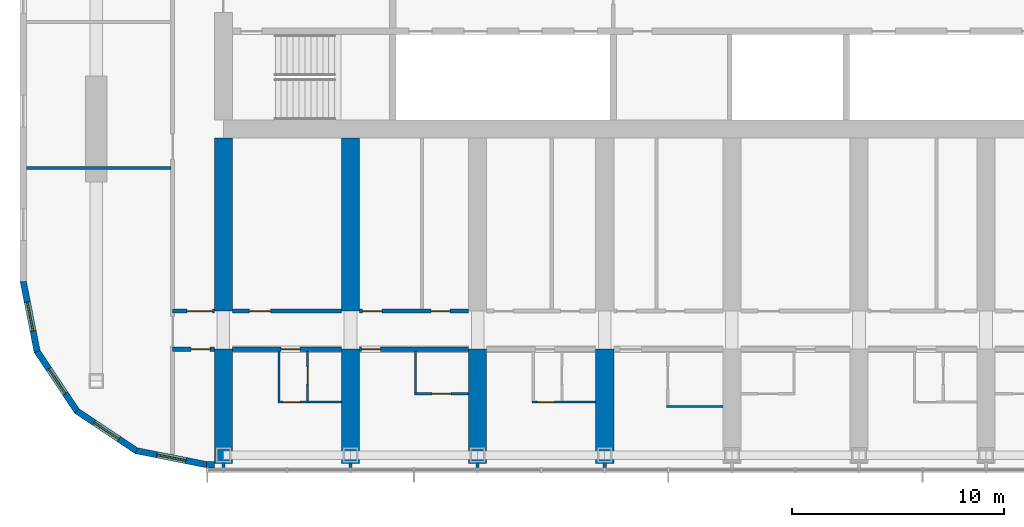
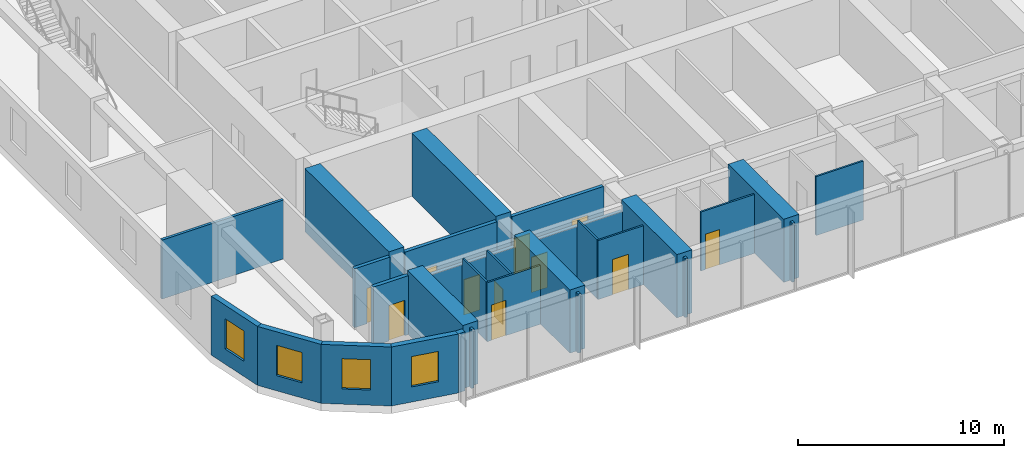
# One storey, part 14 of 29: 29 walls, 11 doors, 4 windows, 15 openings.
"""IFC4 building model written with IfcOpenShell, lengths in metres."""

import ifcopenshell
import ifcopenshell.guid

model = None  # the IFC model being written
_history = None  # IfcOwnerHistory: only IFC2X3 demands one
_inside = {}  # id of a spatial element -> (the spatial element, [elements in it])
_under = {}  # id of a project, library or spatial element -> (it, [spatial elements below it])
_declared = {}  # id of a project -> (the project, [libraries it declares])
_typed = {}  # id of a type object -> (the type object, [elements of that type])
_made_of = {}  # id of a material, layer set ... -> (it, [elements and type objects made of it])


def new_model(schema):
    """Start an empty IFC model of exactly this schema.

    Asked for "IFC4X3", IfcOpenShell would pick the latest addendum, in which some entities
    have other attributes; the version numbers below select the first issue.
    IFC2X3 requires an IfcOwnerHistory on every rooted entity: one is made here for all.
    """
    global model, _history
    if schema == "IFC4X3":
        model = ifcopenshell.file(schema_version=(4, 3, 0, 0))
    else:
        model = ifcopenshell.file(schema=schema)
    _inside.clear()
    _under.clear()
    _declared.clear()
    _typed.clear()
    _made_of.clear()
    _history = None
    if model.schema == "IFC2X3":
        org = make("IfcOrganization", Name="unknown")
        user = make(
            "IfcPersonAndOrganization",
            ThePerson=make("IfcPerson", FamilyName="unknown"),
            TheOrganization=org,
        )
        app = make(
            "IfcApplication",
            ApplicationDeveloper=org,
            Version="unknown",
            ApplicationFullName="unknown",
            ApplicationIdentifier="unknown",
        )
        _history = make(
            "IfcOwnerHistory",
            OwningUser=user,
            OwningApplication=app,
            ChangeAction="ADDED",
            CreationDate=0,
        )
    return model


def make(cls, **values):
    """One entity of the class cls with the attributes given. An attribute that is None is left unset."""
    return model.create_entity(
        cls, **{name: value for name, value in values.items() if value is not None}
    )


def rooted(cls, **values):
    """An entity with a GlobalId (a new one), such as an element, a storey or a relation."""
    return make(cls, GlobalId=ifcopenshell.guid.new(), OwnerHistory=_history, **values)


def si_unit(unit_type, name, prefix=None):
    """IfcSIUnit, for example si_unit("LENGTHUNIT", "METRE", prefix="MILLI")."""
    return make("IfcSIUnit", UnitType=unit_type, Prefix=prefix, Name=name)


def assignment(units):
    """IfcUnitAssignment: the units of a project."""
    return None if units is None else make("IfcUnitAssignment", Units=units)


def point(xyz):
    """IfcCartesianPoint."""
    return None if xyz is None else make("IfcCartesianPoint", Coordinates=xyz)


def direction(xyz):
    """IfcDirection."""
    return None if xyz is None else make("IfcDirection", DirectionRatios=xyz)


def frame(location, z_axis=None, x_axis=None):
    """IfcAxis2Placement3D, a coordinate frame: its origin and axes. An axis left out is left unset."""
    return make(
        "IfcAxis2Placement3D",
        Location=point(location),
        Axis=direction(z_axis),
        RefDirection=direction(x_axis),
    )


def frame_2d(location, x_axis=None):
    """IfcAxis2Placement2D, a coordinate frame in the plane: its origin and x axis."""
    return make(
        "IfcAxis2Placement2D", Location=point(location), RefDirection=direction(x_axis)
    )


def origin():
    """The frame at (0, 0, 0) with its axes left unset."""
    return frame((0.0, 0.0, 0.0))


def place(relative_to, where):
    """IfcLocalPlacement: puts the frame where relative to a parent placement (None: the world)."""
    return make(
        "IfcLocalPlacement", PlacementRelTo=relative_to, RelativePlacement=where
    )


def context(
    kind, dimensions, precision=None, world=None, true_north=None, identifier=None
):
    """IfcGeometricRepresentationContext, for example the 3D "Model" context."""
    return make(
        "IfcGeometricRepresentationContext",
        ContextIdentifier=identifier,
        ContextType=kind,
        CoordinateSpaceDimension=dimensions,
        Precision=precision,
        WorldCoordinateSystem=world,
        TrueNorth=true_north,
    )


def subcontext(parent, identifier, kind, view, scale=None):
    """IfcGeometricRepresentationSubContext, for example "Body" below "Model"."""
    return make(
        "IfcGeometricRepresentationSubContext",
        ContextIdentifier=identifier,
        ContextType=kind,
        ParentContext=parent,
        TargetScale=scale,
        TargetView=view,
    )


def project(units=None, contexts=None):
    """IfcProject with its units and contexts."""
    return rooted(
        "IfcProject",
        Name="project",
        RepresentationContexts=contexts,
        UnitsInContext=assignment(units),
    )


def spatial(cls, under=None, at=None, **own):
    """A site, building, storey or space (cls), placed at a placement, below another one or the project."""
    s = rooted(cls, ObjectPlacement=at, **own)
    if under is not None:
        _under.setdefault(under.id(), (under, []))[1].append(s)
    return s


def polyline(points):
    """IfcPolyline through the points."""
    return make("IfcPolyline", Points=[point(p) for p in points])


def profile(cls, at=None, kind="AREA", **sizes):
    """A parametric profile (cls). Its sizes go by their IFC names, for example OverallWidth=200.0."""
    return make(cls, ProfileType=kind, Position=at, **sizes)


def rectangle(**sizes):
    """IfcRectangleProfileDef."""
    return profile("IfcRectangleProfileDef", **sizes)


def outline(outer, holes=None, kind="AREA"):
    """IfcArbitraryClosedProfileDef: a profile drawn as a closed curve; with holes, ...WithVoids."""
    if holes is None:
        return make("IfcArbitraryClosedProfileDef", ProfileType=kind, OuterCurve=outer)
    return make(
        "IfcArbitraryProfileDefWithVoids",
        ProfileType=kind,
        OuterCurve=outer,
        InnerCurves=holes,
    )


def extrude(swept, where, along, depth):
    """IfcExtrudedAreaSolid: the profile swept, set in the frame where, extruded along a direction by depth."""
    return make(
        "IfcExtrudedAreaSolid",
        SweptArea=swept,
        Position=where,
        ExtrudedDirection=direction(along),
        Depth=depth,
    )


def shape(context_of_items, identifier, shape_type, items):
    """IfcShapeRepresentation: the items that make up one representation, for example the "Body"."""
    return make(
        "IfcShapeRepresentation",
        ContextOfItems=context_of_items,
        RepresentationIdentifier=identifier,
        RepresentationType=shape_type,
        Items=items,
    )


def material(Name=None, Category=None):
    """IfcMaterial."""
    return make("IfcMaterial", Name=Name, Category=Category)


def layer(
    of_material, thickness, ventilated=None, Name=None, Category=None, Priority=None
):
    """IfcMaterialLayer: one layer of a wall or slab, of a material (None: an air gap)."""
    return make(
        "IfcMaterialLayer",
        Material=of_material,
        LayerThickness=thickness,
        IsVentilated=ventilated,
        Name=Name,
        Category=Category,
        Priority=Priority,
    )


def layer_set(layers, Name=None):
    """IfcMaterialLayerSet."""
    return make("IfcMaterialLayerSet", MaterialLayers=layers, LayerSetName=Name)


def made_of(thing, what):
    """Note that an element or type object is made of a material, layer set ...; save() writes the relation."""
    if what is not None:
        _made_of.setdefault(what.id(), (what, []))[1].append(thing)
    return thing


def type_object(cls, material=None, **own):
    """A type object (cls), such as IfcWallType, which elements share."""
    return made_of(rooted(cls, **own), material)


def element(
    cls,
    number,
    at=None,
    inside=None,
    cuts=None,
    type_object=None,
    material=None,
    context=None,
    identifier="Body",
    shape_type=None,
    held_by="IfcProductDefinitionShape",
    body=None,
    shapes=None,
    **own,
):
    """One element of the class cls, such as IfcWall. Its Tag is "e" and its number.

    at: its placement. inside: the storey or other place that contains it. cuts: it is an
    opening in that element (IfcRelVoidsElement). A single representation is given by context,
    identifier, shape_type and body (its items); several are given by shapes. held_by: the class
    of the entity that holds the representations. save() writes the other relations.
    """
    e = rooted(cls, Tag="e%d" % number, ObjectPlacement=at, **own)
    if body is not None:
        shapes = [shape(context, identifier, shape_type, body)]
    if shapes is not None:
        e.Representation = make(held_by, Representations=shapes)
    if inside is not None:
        _inside.setdefault(inside.id(), (inside, []))[1].append(e)
    if cuts is not None:
        rooted(
            "IfcRelVoidsElement", RelatingBuildingElement=cuts, RelatedOpeningElement=e
        )
    if type_object is not None:
        _typed.setdefault(type_object.id(), (type_object, []))[1].append(e)
    return made_of(e, material)


def fill(opening, filler):
    """IfcRelFillsElement: the door or window that sits in an opening."""
    return rooted(
        "IfcRelFillsElement",
        RelatingOpeningElement=opening,
        RelatedBuildingElement=filler,
    )


def aggregate(whole, parts):
    """IfcRelAggregates: a whole, such as a stair, and the parts it consists of."""
    return rooted("IfcRelAggregates", RelatingObject=whole, RelatedObjects=parts)


def save(model, path):
    """Write the relations noted so far, then the file.

    IfcRelAggregates (storeys below a building ...), IfcRelContainedInSpatialStructure (elements
    in a storey), IfcRelDefinesByType, IfcRelAssociatesMaterial and IfcRelDeclares: one each for
    every whole, place, type object, material and project.
    """
    for whole, parts in _under.values():
        aggregate(whole, parts)
    for where, things in _inside.values():
        rooted(
            "IfcRelContainedInSpatialStructure",
            RelatedElements=things,
            RelatingStructure=where,
        )
    for kind, things in _typed.values():
        rooted("IfcRelDefinesByType", RelatedObjects=things, RelatingType=kind)
    for what, things in _made_of.values():
        rooted("IfcRelAssociatesMaterial", RelatedObjects=things, RelatingMaterial=what)
    for by, libraries in _declared.values():
        rooted("IfcRelDeclares", RelatingContext=by, RelatedDefinitions=libraries)
    model.write(path)


model = new_model("IFC4")

# Units and contexts
model_context = context("Model", 3, precision=1e-05, world=origin(), true_north=direction((0.0, 1.0)))
body_context = subcontext(model_context, "Body", "Model", "MODEL_VIEW")
ifc_project = project(units=[si_unit("LENGTHUNIT", "METRE"), si_unit("AREAUNIT", "SQUARE_METRE"), si_unit("VOLUMEUNIT", "CUBIC_METRE"), si_unit("PLANEANGLEUNIT", "RADIAN"), si_unit("MASSUNIT", "GRAM", prefix="KILO")], contexts=[model_context])

# Site, building, storey
site_placement = place(None, origin())
site = spatial("IfcSite", under=ifc_project, at=site_placement, CompositionType="ELEMENT")
building_placement = place(site_placement, origin())
building = spatial("IfcBuilding", under=site, at=building_placement, Name="Orbita Commons", CompositionType="ELEMENT")
storey_placement = place(building_placement, frame((0.0, 0.0, 163.60009765625)))
storey = spatial("IfcBuildingStorey", under=building, at=storey_placement, Name="L40", CompositionType="ELEMENT", Elevation=163.60009765625)

# Wall, opening, door
ifc_material_1 = material(Name="Concrete blockwork", Category="masonry")
ifc_layer_1 = layer(ifc_material_1, 0.199951171875)
ifc_layer_set_1 = layer_set([ifc_layer_1], Name="Concrete blockwork")
wall_type_1 = type_object("IfcWallType", Name="Corridor wall 200 blockwork", PredefinedType="SOLIDWALL", material=ifc_layer_set_1)
wall_1_placement = place(storey_placement, frame((15.60009765625, 15.39990234375, 0.0), z_axis=(0.0, 0.0, 1.0), x_axis=(1.0, 0.0, 0.0)))
wall_1 = element("IfcWall", 1, at=wall_1_placement, inside=storey, type_object=wall_type_1, Name="Corridor wall 200 blockwork L40", PredefinedType="SOLIDWALL", context=body_context, shape_type="SweptSolid", body=[
    extrude(rectangle(XDim=1.974853515625, YDim=0.199951171875, at=frame_2d((0.9873046875, 0.0))), origin(), (0.0, 0.0, 1.0), 3.5),
])
opening_1_placement = place(wall_1_placement, frame((0.875, 0.0, 0.0)))
opening_1 = element("IfcOpeningElement", 2, at=opening_1_placement, cuts=wall_1, Name="Opening D05", PredefinedType="OPENING", context=body_context, shape_type="SweptSolid", body=[
    extrude(rectangle(XDim=0.89990234375, YDim=2.10009765625, at=frame_2d((0.449951171875, 1.050048828125))), frame((0.0, 0.10986328125, 0.0), z_axis=(0.0, -1.0, 0.0), x_axis=(1.0, 0.0, 0.0)), (0.0, 0.0, 1.0), 0.219970703125),
])
ifc_material_2 = material(Name="Steel-faced fire door leaf", Category="steel")
door_type_1 = type_object("IfcDoorType", Name="Service door 20 min 900x2100", OperationType="SINGLE_SWING_LEFT", PredefinedType="DOOR", material=ifc_material_2)
door_1_placement = place(opening_1_placement, origin())
door_1 = element("IfcDoor", 3, at=door_1_placement, inside=storey, type_object=door_type_1, Name="Linen store L40-KWS door", OperationType="SINGLE_SWING_LEFT", OverallHeight=2.10009765625, OverallWidth=0.89990234375, PredefinedType="DOOR", context=body_context, shape_type="SweptSolid", body=[
    extrude(rectangle(XDim=0.89990234375, YDim=2.10009765625, at=frame_2d((0.449951171875, 1.050048828125))), frame((0.0, 0.02490234375, 0.0), z_axis=(0.0, -1.0, 0.0), x_axis=(1.0, 0.0, 0.0)), (0.0, 0.0, 1.0), 0.050048828125),
])
fill(opening_1, door_1)

wall_2_placement = place(storey_placement, frame((18.425048828125, 15.39990234375, 0.0), z_axis=(0.0, 0.0, 1.0), x_axis=(1.0, 0.0, 0.0)))
wall_2 = element("IfcWall", 4, at=wall_2_placement, inside=storey, type_object=wall_type_1, Name="Corridor wall 200 blockwork L40", PredefinedType="SOLIDWALL", context=body_context, shape_type="SweptSolid", body=[
    extrude(outline(polyline([(0.0, 0.0), (5.14990234375, 0.0), (5.14990234375, 3.099853515625), (0.0, 3.099853515625), (0.0, 0.0)])), frame((0.0, 0.10009765625, 0.0), z_axis=(0.0, -1.0, 0.0), x_axis=(1.0, 0.0, 0.0)), (0.0, 0.0, 1.0), 0.199951171875),
])
opening_2_placement = place(wall_2_placement, frame((2.300048828125, 0.0, 0.0)))
opening_2 = element("IfcOpeningElement", 5, at=opening_2_placement, cuts=wall_2, Name="Opening D11", PredefinedType="OPENING", context=body_context, shape_type="SweptSolid", body=[
    extrude(rectangle(XDim=0.89990234375, YDim=2.10009765625, at=frame_2d((0.449951171875, 1.050048828125))), frame((0.0, 0.10986328125, 0.0), z_axis=(0.0, -1.0, 0.0), x_axis=(1.0, 0.0, 0.0)), (0.0, 0.0, 1.0), 0.219970703125),
])
ifc_material_3 = material(Name="Steel-faced fire door leaf", Category="steel")
door_type_2 = type_object("IfcDoorType", Name="Corridor door 20 min 900x2100", OperationType="SINGLE_SWING_LEFT", PredefinedType="DOOR", material=ifc_material_3)
door_2_placement = place(opening_2_placement, origin())
door_2 = element("IfcDoor", 6, at=door_2_placement, inside=storey, type_object=door_type_2, Name="Studio flat L40-S00 entrance door", OperationType="SINGLE_SWING_LEFT", OverallHeight=2.10009765625, OverallWidth=0.89990234375, PredefinedType="DOOR", context=body_context, shape_type="SweptSolid", body=[
    extrude(rectangle(XDim=0.89990234375, YDim=2.10009765625, at=frame_2d((0.449951171875, 1.050048828125))), frame((0.0, 0.02490234375, 0.0), z_axis=(0.0, -1.0, 0.0), x_axis=(1.0, 0.0, 0.0)), (0.0, 0.0, 1.0), 0.050048828125),
])
fill(opening_2, door_2)

wall_3_placement = place(storey_placement, frame((24.425048828125, 15.39990234375, 0.0), z_axis=(0.0, 0.0, 1.0), x_axis=(1.0, 0.0, 0.0)))
wall_3 = element("IfcWall", 7, at=wall_3_placement, inside=storey, type_object=wall_type_1, Name="Corridor wall 200 blockwork L40", PredefinedType="SOLIDWALL", context=body_context, shape_type="SweptSolid", body=[
    extrude(outline(polyline([(0.0, 0.0), (5.14990234375, 0.0), (5.14990234375, 3.099853515625), (0.0, 3.099853515625), (0.0, 0.0)])), frame((0.0, 0.10009765625, 0.0), z_axis=(0.0, -1.0, 0.0), x_axis=(1.0, 0.0, 0.0)), (0.0, 0.0, 1.0), 0.199951171875),
])
opening_3_placement = place(wall_3_placement, frame((0.10009765625, 0.0, 0.0)))
opening_3 = element("IfcOpeningElement", 8, at=opening_3_placement, cuts=wall_3, Name="Opening D11", PredefinedType="OPENING", context=body_context, shape_type="SweptSolid", body=[
    extrude(rectangle(XDim=0.89990234375, YDim=2.10009765625, at=frame_2d((0.449951171875, 1.050048828125))), frame((0.0, 0.10986328125, 0.0), z_axis=(0.0, -1.0, 0.0), x_axis=(1.0, 0.0, 0.0)), (0.0, 0.0, 1.0), 0.219970703125),
])
door_3_placement = place(opening_3_placement, origin())
door_3 = element("IfcDoor", 9, at=door_3_placement, inside=storey, type_object=door_type_2, Name="Twin room L40-S02 door", OperationType="SINGLE_SWING_LEFT", OverallHeight=2.10009765625, OverallWidth=0.89990234375, PredefinedType="DOOR", context=body_context, shape_type="SweptSolid", body=[
    extrude(rectangle(XDim=0.89990234375, YDim=2.10009765625, at=frame_2d((0.449951171875, 1.050048828125))), frame((0.0, 0.02490234375, 0.0), z_axis=(0.0, -1.0, 0.0), x_axis=(1.0, 0.0, 0.0)), (0.0, 0.0, 1.0), 0.050048828125),
])
fill(opening_3, door_3)

ifc_material_4 = material(Name="Hollow concrete block 200", Category="concrete")
ifc_layer_2 = layer(ifc_material_4, 0.199951171875)
ifc_layer_set_2 = layer_set([ifc_layer_2], Name="Hollow concrete block 200")
wall_type_2 = type_object("IfcWallType", Name="Corridor wall 200 hollow concrete block", PredefinedType="SOLIDWALL", material=ifc_layer_set_2)
wall_4_placement = place(storey_placement, frame((15.60009765625, 17.199951171875, 0.0), z_axis=(0.0, 0.0, 1.0), x_axis=(1.0, 0.0, 0.0)))
wall_4 = element("IfcWall", 10, at=wall_4_placement, inside=storey, type_object=wall_type_2, Name="Corridor wall 200 hollow concrete block L40", PredefinedType="SOLIDWALL", context=body_context, shape_type="SweptSolid", body=[
    extrude(rectangle(XDim=1.974853515625, YDim=0.199951171875, at=frame_2d((0.9873046875, 0.0))), origin(), (0.0, 0.0, 1.0), 3.5),
])
opening_4_placement = place(wall_4_placement, frame((0.675048828125, 0.0, 0.0)))
opening_4 = element("IfcOpeningElement", 11, at=opening_4_placement, cuts=wall_4, Name="Opening D12", PredefinedType="OPENING", context=body_context, shape_type="SweptSolid", body=[
    extrude(rectangle(XDim=1.199951171875, YDim=2.10009765625, at=frame_2d((0.60009765625, 1.050048828125))), frame((0.0, 0.10986328125, 0.0), z_axis=(0.0, -1.0, 0.0), x_axis=(1.0, 0.0, 0.0)), (0.0, 0.0, 1.0), 0.219970703125),
])
ifc_material_5 = material(Name="Steel-faced fire door leaf", Category="steel")
door_type_3 = type_object("IfcDoorType", Name="Double corridor door 20 min 1200x2100", OperationType="DOUBLE_DOOR_SINGLE_SWING", PredefinedType="DOOR", material=ifc_material_5)
door_4_placement = place(opening_4_placement, origin())
door_4 = element("IfcDoor", 12, at=door_4_placement, inside=storey, type_object=door_type_3, Name="Cross corridor doors", OperationType="DOUBLE_DOOR_SINGLE_SWING", OverallHeight=2.10009765625, OverallWidth=1.199951171875, PredefinedType="DOOR", context=body_context, shape_type="SweptSolid", body=[
    extrude(rectangle(XDim=1.199951171875, YDim=2.10009765625, at=frame_2d((0.60009765625, 1.050048828125))), frame((0.0, 0.02490234375, 0.0), z_axis=(0.0, -1.0, 0.0), x_axis=(1.0, 0.0, 0.0)), (0.0, 0.0, 1.0), 0.050048828125),
])
fill(opening_4, door_4)

wall_5_placement = place(storey_placement, frame((18.425048828125, 17.199951171875, 0.0), z_axis=(0.0, 0.0, 1.0), x_axis=(1.0, 0.0, 0.0)))
wall_5 = element("IfcWall", 13, at=wall_5_placement, inside=storey, type_object=wall_type_2, Name="Corridor wall 200 hollow concrete block L40", PredefinedType="SOLIDWALL", context=body_context, shape_type="SweptSolid", body=[
    extrude(rectangle(XDim=5.14990234375, YDim=0.199951171875, at=frame_2d((2.574951171875, 0.0))), origin(), (0.0, 0.0, 1.0), 3.5),
])
opening_5_placement = place(wall_5_placement, frame((0.800048828125, 0.0, 0.0)))
opening_5 = element("IfcOpeningElement", 14, at=opening_5_placement, cuts=wall_5, Name="Opening D06", PredefinedType="OPENING", context=body_context, shape_type="SweptSolid", body=[
    extrude(rectangle(XDim=1.0, YDim=2.10009765625, at=frame_2d((0.5, 1.050048828125))), frame((0.0, 0.10986328125, 0.0), z_axis=(0.0, -1.0, 0.0), x_axis=(1.0, 0.0, 0.0)), (0.0, 0.0, 1.0), 0.219970703125),
])
ifc_material_6 = material(Name="Steel-faced fire door leaf", Category="steel")
door_type_4 = type_object("IfcDoorType", Name="Corridor door 20 min 1000x2100", OperationType="SINGLE_SWING_LEFT", PredefinedType="DOOR", material=ifc_material_6)
door_5_placement = place(opening_5_placement, origin())
door_5 = element("IfcDoor", 15, at=door_5_placement, inside=storey, type_object=door_type_4, Name="IT and print room L40-BDS18 door", OperationType="SINGLE_SWING_LEFT", OverallHeight=2.10009765625, OverallWidth=1.0, PredefinedType="DOOR", context=body_context, shape_type="SweptSolid", body=[
    extrude(rectangle(XDim=1.0, YDim=2.10009765625, at=frame_2d((0.5, 1.050048828125))), frame((0.0, 0.02490234375, 0.0), z_axis=(0.0, -1.0, 0.0), x_axis=(1.0, 0.0, 0.0)), (0.0, 0.0, 1.0), 0.050048828125),
])
fill(opening_5, door_5)

# Wall, openings, doors
wall_6_placement = place(storey_placement, frame((24.425048828125, 17.199951171875, 0.0), z_axis=(0.0, 0.0, 1.0), x_axis=(1.0, 0.0, 0.0)))
wall_6 = element("IfcWall", 16, at=wall_6_placement, inside=storey, type_object=wall_type_2, Name="Corridor wall 200 hollow concrete block L40", PredefinedType="SOLIDWALL", context=body_context, shape_type="SweptSolid", body=[
    extrude(rectangle(XDim=5.14990234375, YDim=0.199951171875, at=frame_2d((2.574951171875, 0.0))), origin(), (0.0, 0.0, 1.0), 3.5),
])
opening_6_placement = place(wall_6_placement, frame((0.14990234375, 0.0, 0.0)))
opening_6 = element("IfcOpeningElement", 17, at=opening_6_placement, cuts=wall_6, Name="Opening D11", PredefinedType="OPENING", context=body_context, shape_type="SweptSolid", body=[
    extrude(rectangle(XDim=0.89990234375, YDim=2.10009765625, at=frame_2d((0.449951171875, 1.050048828125))), frame((0.0, 0.10986328125, 0.0), z_axis=(0.0, -1.0, 0.0), x_axis=(1.0, 0.0, 0.0)), (0.0, 0.0, 1.0), 0.219970703125),
])
opening_7_placement = place(wall_6_placement, frame((3.375, 0.0, 0.0)))
opening_7 = element("IfcOpeningElement", 18, at=opening_7_placement, cuts=wall_6, Name="Opening D11", PredefinedType="OPENING", context=body_context, shape_type="SweptSolid", body=[
    extrude(rectangle(XDim=0.89990234375, YDim=2.10009765625, at=frame_2d((0.449951171875, 1.050048828125))), frame((0.0, 0.10986328125, 0.0), z_axis=(0.0, -1.0, 0.0), x_axis=(1.0, 0.0, 0.0)), (0.0, 0.0, 1.0), 0.219970703125),
])
door_6_placement = place(opening_6_placement, origin())
door_6 = element("IfcDoor", 19, at=door_6_placement, inside=storey, type_object=door_type_2, Name="Group meeting room L40-BDS24 door", OperationType="SINGLE_SWING_LEFT", OverallHeight=2.10009765625, OverallWidth=0.89990234375, PredefinedType="DOOR", context=body_context, shape_type="SweptSolid", body=[
    extrude(rectangle(XDim=0.89990234375, YDim=2.10009765625, at=frame_2d((0.449951171875, 1.050048828125))), frame((0.0, 0.02490234375, 0.0), z_axis=(0.0, -1.0, 0.0), x_axis=(1.0, 0.0, 0.0)), (0.0, 0.0, 1.0), 0.050048828125),
])
fill(opening_6, door_6)
door_7_placement = place(opening_7_placement, origin())
door_7 = element("IfcDoor", 20, at=door_7_placement, inside=storey, type_object=door_type_2, Name="Accessible WC and shower room L40-BDS24n door", OperationType="SINGLE_SWING_LEFT", OverallHeight=2.10009765625, OverallWidth=0.89990234375, PredefinedType="DOOR", context=body_context, shape_type="SweptSolid", body=[
    extrude(rectangle(XDim=0.89990234375, YDim=2.10009765625, at=frame_2d((0.449951171875, 1.050048828125))), frame((0.0, 0.02490234375, 0.0), z_axis=(0.0, -1.0, 0.0), x_axis=(1.0, 0.0, 0.0)), (0.0, 0.0, 1.0), 0.050048828125),
])
fill(opening_7, door_7)

# Walls
ifc_material_7 = material(Name="Concrete C50/60", Category="concrete")
ifc_layer_3 = layer(ifc_material_7, 0.85009765625)
ifc_layer_set_3 = layer_set([ifc_layer_3], Name="Concrete C50/60")
wall_type_3 = type_object("IfcWallType", Name="Cross wall 850 C50/60", PredefinedType="SHEAR", material=ifc_layer_set_3)
wall_7_placement = place(storey_placement, frame((18.0, 10.0, 0.0), z_axis=(0.0, 0.0, 1.0), x_axis=(0.0, 1.0, 0.0)))
element("IfcWall", 21, at=wall_7_placement, inside=storey, type_object=wall_type_3, Name="Cross wall 4 south outer L40", PredefinedType="SHEAR", context=body_context, shape_type="SweptSolid", body=[
    extrude(rectangle(XDim=5.39990234375, YDim=0.85009765625, at=frame_2d((2.699951171875, 0.0))), origin(), (0.0, 0.0, 1.0), 3.75),
])
wall_8_placement = place(storey_placement, frame((18.0, 17.199951171875, 0.0), z_axis=(0.0, 0.0, 1.0), x_axis=(0.0, 1.0, 0.0)))
element("IfcWall", 22, at=wall_8_placement, inside=storey, type_object=wall_type_3, Name="Cross wall 4 south inner L40", PredefinedType="SHEAR", context=body_context, shape_type="SweptSolid", body=[
    extrude(rectangle(XDim=8.175048828125, YDim=0.85009765625, at=frame_2d((4.08740234375, 0.0))), origin(), (0.0, 0.0, 1.0), 3.75),
])
wall_9_placement = place(storey_placement, frame((24.0, 10.0, 0.0), z_axis=(0.0, 0.0, 1.0), x_axis=(0.0, 1.0, 0.0)))
element("IfcWall", 23, at=wall_9_placement, inside=storey, type_object=wall_type_3, Name="Cross wall 5 south outer L40", PredefinedType="SHEAR", context=body_context, shape_type="SweptSolid", body=[
    extrude(rectangle(XDim=5.39990234375, YDim=0.85009765625, at=frame_2d((2.699951171875, 0.0))), origin(), (0.0, 0.0, 1.0), 3.75),
])
wall_10_placement = place(storey_placement, frame((24.0, 17.199951171875, 0.0), z_axis=(0.0, 0.0, 1.0), x_axis=(0.0, 1.0, 0.0)))
element("IfcWall", 24, at=wall_10_placement, inside=storey, type_object=wall_type_3, Name="Cross wall 5 south inner L40", PredefinedType="SHEAR", context=body_context, shape_type="SweptSolid", body=[
    extrude(rectangle(XDim=8.175048828125, YDim=0.85009765625, at=frame_2d((4.08740234375, 0.0))), origin(), (0.0, 0.0, 1.0), 3.75),
])
for number, where, z_axis, x_axis, name in (
    (25, (30.0, 10.0, 0.0), (0.0, 0.0, 1.0), (0.0, 1.0, 0.0), "Cross wall 6 south outer L40"),
    (26, (36.0, 10.0, 0.0), (0.0, 0.0, 1.0), (0.0, 1.0, 0.0), "Cross wall 7 south outer L40"),
):
    element("IfcWall", number, at=place(storey_placement, frame(where, z_axis=z_axis, x_axis=x_axis)), inside=storey, type_object=wall_type_3, Name=name, PredefinedType="SHEAR", context=body_context, shape_type="SweptSolid", body=[
        extrude(rectangle(XDim=5.39990234375, YDim=0.85009765625, at=frame_2d((2.699951171875, 0.0))), origin(), (0.0, 0.0, 1.0), 3.75),
    ])

# Wall, opening, door
ifc_material_8 = material(Name="Moisture-resistant plasterboard on steel studs", Category="steel")
ifc_layer_4 = layer(ifc_material_8, 0.10009765625)
ifc_layer_set_4 = layer_set([ifc_layer_4], Name="Moisture-resistant plasterboard on steel studs")
wall_type_4 = type_object("IfcWallType", Name="En-suite partition 100", PredefinedType="PARTITIONING", material=ifc_layer_set_4)
wall_11_placement = place(storey_placement, frame((23.574951171875, 12.89990234375, 0.0), z_axis=(0.0, 0.0, 1.0), x_axis=(-1.0, 0.0, 0.0)))
wall_11 = element("IfcWall", 27, at=wall_11_placement, inside=storey, type_object=wall_type_4, Name="En-suite partition 100 L40", PredefinedType="PARTITIONING", context=body_context, shape_type="SweptSolid", body=[
    extrude(rectangle(XDim=3.0, YDim=0.10009765625, at=frame_2d((1.5, 0.0))), origin(), (0.0, 0.0, 1.0), 3.5),
])
opening_8_placement = place(wall_11_placement, frame((1.949951171875, 0.0, 0.0)))
opening_8 = element("IfcOpeningElement", 28, at=opening_8_placement, cuts=wall_11, Name="Opening D16", PredefinedType="OPENING", context=body_context, shape_type="SweptSolid", body=[
    extrude(rectangle(XDim=0.800048828125, YDim=2.10009765625, at=frame_2d((0.39990234375, 1.050048828125))), frame((0.0, 0.06005859375, 0.0), z_axis=(0.0, -1.0, 0.0), x_axis=(1.0, 0.0, 0.0)), (0.0, 0.0, 1.0), 0.1201171875),
])
ifc_material_9 = material(Name="Laminated timber door leaf", Category="wood")
door_type_5 = type_object("IfcDoorType", Name="En-suite door 800x2100", OperationType="SINGLE_SWING_RIGHT", PredefinedType="DOOR", material=ifc_material_9)
door_8_placement = place(opening_8_placement, origin())
door_8 = element("IfcDoor", 29, at=door_8_placement, inside=storey, type_object=door_type_5, Name="Studio flat L40-S00 door", OperationType="SINGLE_SWING_RIGHT", OverallHeight=2.10009765625, OverallWidth=0.800048828125, PredefinedType="DOOR", context=body_context, shape_type="SweptSolid", body=[
    extrude(rectangle(XDim=0.800048828125, YDim=2.10009765625, at=frame_2d((0.39990234375, 1.050048828125))), frame((0.0, 0.02490234375, 0.0), z_axis=(0.0, -1.0, 0.0), x_axis=(1.0, 0.0, 0.0)), (0.0, 0.0, 1.0), 0.050048828125),
])
fill(opening_8, door_8)

# Wall
wall_12_placement = place(storey_placement, frame((20.625, 12.949951171875, 0.0), z_axis=(0.0, 0.0, 1.0), x_axis=(0.0, 1.0, 0.0)))
element("IfcWall", 30, at=wall_12_placement, inside=storey, type_object=wall_type_4, Name="En-suite partition 100 L40", PredefinedType="PARTITIONING", context=body_context, shape_type="SweptSolid", body=[
    extrude(outline(polyline([(0.0, 0.0), (2.35009765625, 0.0), (2.35009765625, 3.099853515625), (2.302001953125, 3.099853515625), (2.300048828125, 3.5), (0.0, 3.5), (0.0, 0.0)])), frame((0.0, 0.050048828125, 0.0), z_axis=(0.0, -1.0, 0.0), x_axis=(1.0, 0.0, 0.0)), (0.0, 0.0, 1.0), 0.10009765625),
])

# Wall, opening, door
wall_13_placement = place(storey_placement, frame((21.97509765625, 12.949951171875, 0.0), z_axis=(0.0, 0.0, 1.0), x_axis=(0.0, 1.0, 0.0)))
wall_13 = element("IfcWall", 31, at=wall_13_placement, inside=storey, type_object=wall_type_4, Name="En-suite partition 100 L40", PredefinedType="PARTITIONING", context=body_context, shape_type="SweptSolid", body=[
    extrude(outline(polyline([(0.0, 0.0), (2.35009765625, 0.0), (2.35009765625, 3.099853515625), (2.302001953125, 3.099853515625), (2.300048828125, 3.5), (0.0, 3.5), (0.0, 0.0)])), frame((0.0, 0.050048828125, 0.0), z_axis=(0.0, -1.0, 0.0), x_axis=(1.0, 0.0, 0.0)), (0.0, 0.0, 1.0), 0.10009765625),
])
opening_9_placement = place(wall_13_placement, frame((0.800048828125, 0.0, 0.0)))
opening_9 = element("IfcOpeningElement", 32, at=opening_9_placement, cuts=wall_13, Name="Opening D16", PredefinedType="OPENING", context=body_context, shape_type="SweptSolid", body=[
    extrude(rectangle(XDim=0.800048828125, YDim=2.10009765625, at=frame_2d((0.39990234375, 1.050048828125))), frame((0.0, 0.06005859375, 0.0), z_axis=(0.0, -1.0, 0.0), x_axis=(1.0, 0.0, 0.0)), (0.0, 0.0, 1.0), 0.1201171875),
])
door_9_placement = place(opening_9_placement, origin())
door_9 = element("IfcDoor", 33, at=door_9_placement, inside=storey, type_object=door_type_5, Name="Studio flat shower room L40-S00 door", OperationType="SINGLE_SWING_RIGHT", OverallHeight=2.10009765625, OverallWidth=0.800048828125, PredefinedType="DOOR", context=body_context, shape_type="SweptSolid", body=[
    extrude(rectangle(XDim=0.800048828125, YDim=2.10009765625, at=frame_2d((0.39990234375, 1.050048828125))), frame((0.0, 0.02490234375, 0.0), z_axis=(0.0, -1.0, 0.0), x_axis=(1.0, 0.0, 0.0)), (0.0, 0.0, 1.0), 0.050048828125),
])
fill(opening_9, door_9)

wall_14_placement = place(storey_placement, frame((29.574951171875, 13.300048828125, 0.0), z_axis=(0.0, 0.0, 1.0), x_axis=(-1.0, 0.0, 0.0)))
wall_14 = element("IfcWall", 34, at=wall_14_placement, inside=storey, type_object=wall_type_4, Name="En-suite partition 100 L40", PredefinedType="PARTITIONING", context=body_context, shape_type="SweptSolid", body=[
    extrude(rectangle(XDim=2.550048828125, YDim=0.10009765625, at=frame_2d((1.27490234375, 0.0))), origin(), (0.0, 0.0, 1.0), 3.5),
])
opening_10_placement = place(wall_14_placement, frame((0.824951171875, 0.0, 0.0)))
opening_10 = element("IfcOpeningElement", 35, at=opening_10_placement, cuts=wall_14, Name="Opening D09", PredefinedType="OPENING", context=body_context, shape_type="SweptSolid", body=[
    extrude(rectangle(XDim=0.89990234375, YDim=2.10009765625, at=frame_2d((0.449951171875, 1.050048828125))), frame((0.0, 0.06005859375, 0.0), z_axis=(0.0, -1.0, 0.0), x_axis=(1.0, 0.0, 0.0)), (0.0, 0.0, 1.0), 0.1201171875),
])
ifc_material_10 = material(Name="Laminated timber door leaf", Category="wood")
door_type_6 = type_object("IfcDoorType", Name="En-suite door 900x2100", OperationType="SINGLE_SWING_RIGHT", PredefinedType="DOOR", material=ifc_material_10)
door_10_placement = place(opening_10_placement, origin())
door_10 = element("IfcDoor", 36, at=door_10_placement, inside=storey, type_object=door_type_6, Name="En-suite L40-S02 door", OperationType="SINGLE_SWING_RIGHT", OverallHeight=2.10009765625, OverallWidth=0.89990234375, PredefinedType="DOOR", context=body_context, shape_type="SweptSolid", body=[
    extrude(rectangle(XDim=0.89990234375, YDim=2.10009765625, at=frame_2d((0.449951171875, 1.050048828125))), frame((0.0, 0.02490234375, 0.0), z_axis=(0.0, -1.0, 0.0), x_axis=(1.0, 0.0, 0.0)), (0.0, 0.0, 1.0), 0.050048828125),
])
fill(opening_10, door_10)

# Wall
wall_15_placement = place(storey_placement, frame((27.074951171875, 13.35009765625, 0.0), z_axis=(0.0, 0.0, 1.0), x_axis=(0.0, 1.0, 0.0)))
element("IfcWall", 37, at=wall_15_placement, inside=storey, type_object=wall_type_4, Name="En-suite partition 100 L40", PredefinedType="PARTITIONING", context=body_context, shape_type="SweptSolid", body=[
    extrude(outline(polyline([(0.0, 0.0), (1.949951171875, 0.0), (1.949951171875, 3.099853515625), (1.902099609375, 3.099853515625), (1.89990234375, 3.5), (0.0, 3.5), (0.0, 0.0)])), frame((0.0, 0.050048828125, 0.0), z_axis=(0.0, -1.0, 0.0), x_axis=(1.0, 0.0, 0.0)), (0.0, 0.0, 1.0), 0.10009765625),
])

# Wall, opening, door
wall_16_placement = place(storey_placement, frame((35.574951171875, 12.89990234375, 0.0), z_axis=(0.0, 0.0, 1.0), x_axis=(-1.0, 0.0, 0.0)))
wall_16 = element("IfcWall", 38, at=wall_16_placement, inside=storey, type_object=wall_type_4, Name="En-suite partition 100 L40", PredefinedType="PARTITIONING", context=body_context, shape_type="SweptSolid", body=[
    extrude(rectangle(XDim=3.0, YDim=0.10009765625, at=frame_2d((1.5, 0.0))), origin(), (0.0, 0.0, 1.0), 3.5),
])
opening_11_placement = place(wall_16_placement, frame((1.949951171875, 0.0, 0.0)))
opening_11 = element("IfcOpeningElement", 39, at=opening_11_placement, cuts=wall_16, Name="Opening D16", PredefinedType="OPENING", context=body_context, shape_type="SweptSolid", body=[
    extrude(rectangle(XDim=0.800048828125, YDim=2.10009765625, at=frame_2d((0.39990234375, 1.050048828125))), frame((0.0, 0.06005859375, 0.0), z_axis=(0.0, -1.0, 0.0), x_axis=(1.0, 0.0, 0.0)), (0.0, 0.0, 1.0), 0.1201171875),
])
door_11_placement = place(opening_11_placement, origin())
door_11 = element("IfcDoor", 40, at=door_11_placement, inside=storey, type_object=door_type_5, Name="Studio flat L40-S04 door", OperationType="SINGLE_SWING_RIGHT", OverallHeight=2.10009765625, OverallWidth=0.800048828125, PredefinedType="DOOR", context=body_context, shape_type="SweptSolid", body=[
    extrude(rectangle(XDim=0.800048828125, YDim=2.10009765625, at=frame_2d((0.39990234375, 1.050048828125))), frame((0.0, 0.02490234375, 0.0), z_axis=(0.0, -1.0, 0.0), x_axis=(1.0, 0.0, 0.0)), (0.0, 0.0, 1.0), 0.050048828125),
])
fill(opening_11, door_11)

# Walls
wall_17_placement = place(storey_placement, frame((38.925048828125, 12.699951171875, 0.0), z_axis=(0.0, 0.0, 1.0), x_axis=(1.0, 0.0, 0.0)))
element("IfcWall", 41, at=wall_17_placement, inside=storey, type_object=wall_type_4, Name="En-suite partition 100 L40", PredefinedType="PARTITIONING", context=body_context, shape_type="SweptSolid", body=[
    extrude(rectangle(XDim=2.64990234375, YDim=0.10009765625, at=frame_2d((1.324951171875, 0.0))), origin(), (0.0, 0.0, 1.0), 3.5),
])
ifc_material_11 = material(Name="Gypsum plasterboard on steel studs", Category="steel")
ifc_layer_5 = layer(ifc_material_11, 0.14990234375)
ifc_layer_set_5 = layer_set([ifc_layer_5], Name="Gypsum plasterboard on steel studs")
wall_type_5 = type_object("IfcWallType", Name="Partition 150 plasterboard", PredefinedType="PARTITIONING", material=ifc_layer_set_5)
wall_18_placement = place(storey_placement, frame((8.705078125, 23.9599609375, 0.0), z_axis=(0.0, 0.0, 1.0), x_axis=(1.0, 0.0, 0.0)))
element("IfcWall", 42, at=wall_18_placement, inside=storey, type_object=wall_type_5, Name="Partition 150 plasterboard L40", PredefinedType="PARTITIONING", context=body_context, shape_type="SweptSolid", body=[
    extrude(rectangle(XDim=6.81982421875, YDim=0.14990234375, at=frame_2d((3.409912109375, 0.0))), origin(), (0.0, 0.0, 1.0), 3.5),
])
for number, where, z_axis, x_axis, name in (
    (43, (18.0, 10.050048828125, 0.0), (0.0, 0.0, 1.0), (0.0, -1.0, 0.0), "Partition 150 plasterboard L40"),
    (44, (24.0, 10.050048828125, 0.0), (0.0, 0.0, 1.0), (0.0, -1.0, 0.0), "Partition 150 plasterboard L40"),
    (45, (30.0, 10.050048828125, 0.0), (0.0, 0.0, 1.0), (0.0, -1.0, 0.0), "Partition 150 plasterboard L40"),
    (46, (36.0, 10.050048828125, 0.0), (0.0, 0.0, 1.0), (0.0, -1.0, 0.0), "Partition 150 plasterboard L40"),
):
    element("IfcWall", number, at=place(storey_placement, frame(where, z_axis=z_axis, x_axis=x_axis)), inside=storey, type_object=wall_type_5, Name=name, PredefinedType="PARTITIONING", context=body_context, shape_type="SweptSolid", body=[
        extrude(rectangle(XDim=0.239990234375, YDim=0.14990234375, at=frame_2d((0.1201171875, 0.0))), origin(), (0.0, 0.0, 1.0), 3.5),
    ])

# Wall, opening, window
ifc_material_12 = material(Name="Precast concrete C40/50, white board-marked finish", Category="concrete")
ifc_layer_6 = layer(ifc_material_12, 0.300048828125)
ifc_layer_set_6 = layer_set([ifc_layer_6], Name="Precast concrete C40/50, white board-marked finish")
wall_type_6 = type_object("IfcWallType", Name="Precast concrete end shield 300", PredefinedType="SOLIDWALL", material=ifc_layer_set_6)
wall_19_placement = place(storey_placement, frame((8.550048828125, 18.60009765625, 0.0), z_axis=(0.0, 0.0, 1.0), x_axis=(0.19508664885, -0.980786011034, 0.0)))
wall_19 = element("IfcWall", 47, at=wall_19_placement, inside=storey, type_object=wall_type_6, Name="End shield SW chord 1 L40", PredefinedType="SOLIDWALL", context=body_context, shape_type="SweptSolid", body=[
    extrude(outline(polyline([(-0.014892578125, -0.14990234375), (3.405029296875, -0.14990234375), (3.345458984375, 0.14990234375), (0.014892578125, 0.14990234375), (-0.014892578125, -0.14990234375)])), origin(), (0.0, 0.0, 1.0), 3.5),
])
opening_12_placement = place(wall_19_placement, frame((0.987548828125, 0.0, 0.89990234375)))
opening_12 = element("IfcOpeningElement", 48, at=opening_12_placement, cuts=wall_19, Name="Opening W02", PredefinedType="OPENING", context=body_context, shape_type="SweptSolid", body=[
    extrude(rectangle(XDim=1.39990234375, YDim=1.800048828125, at=frame_2d((0.699951171875, 0.89990234375))), frame((0.0, 0.159912109375, 0.0), z_axis=(0.0, -1.0, 0.0), x_axis=(1.0, 0.0, 0.0)), (0.0, 0.0, 1.0), 0.320068359375),
])
ifc_material_13 = material(Name="Aluminium frame, clear double glazing", Category="aluminium")
window_type = type_object("IfcWindowType", Name="Deep-set window 1400x1800", PartitioningType="SINGLE_PANEL", PredefinedType="WINDOW", material=ifc_material_13)
window_1_placement = place(opening_12_placement, origin())
window_1 = element("IfcWindow", 49, at=window_1_placement, inside=storey, type_object=window_type, Name="Window L40-SW0", OverallHeight=1.800048828125, OverallWidth=1.39990234375, PartitioningType="SINGLE_PANEL", PredefinedType="WINDOW", context=body_context, shape_type="SweptSolid", body=[
    extrude(rectangle(XDim=1.39990234375, YDim=1.800048828125, at=frame_2d((0.699951171875, 0.89990234375))), frame((0.0, 0.030029296875, 0.0), z_axis=(0.0, -1.0, 0.0), x_axis=(1.0, 0.0, 0.0)), (0.0, 0.0, 1.0), 0.06005859375),
])
fill(opening_12, window_1)

wall_20_placement = place(storey_placement, frame((9.20849609375, 15.289794921875, 0.0), z_axis=(0.0, 0.0, 1.0), x_axis=(0.555534554399, -0.831493450887, 0.0)))
wall_20 = element("IfcWall", 50, at=wall_20_placement, inside=storey, type_object=wall_type_6, Name="End shield SW chord 2 L40", PredefinedType="SOLIDWALL", context=body_context, shape_type="SweptSolid", body=[
    extrude(outline(polyline([(-0.02978515625, -0.14990234375), (3.405029296875, -0.14990234375), (3.345458984375, 0.14990234375), (0.02978515625, 0.14990234375), (-0.02978515625, -0.14990234375)])), origin(), (0.0, 0.0, 1.0), 3.5),
])
opening_13_placement = place(wall_20_placement, frame((0.987548828125, 0.0, 0.89990234375)))
opening_13 = element("IfcOpeningElement", 51, at=opening_13_placement, cuts=wall_20, Name="Opening W02", PredefinedType="OPENING", context=body_context, shape_type="SweptSolid", body=[
    extrude(rectangle(XDim=1.39990234375, YDim=1.800048828125, at=frame_2d((0.699951171875, 0.89990234375))), frame((0.0, 0.159912109375, 0.0), z_axis=(0.0, -1.0, 0.0), x_axis=(1.0, 0.0, 0.0)), (0.0, 0.0, 1.0), 0.320068359375),
])
window_2_placement = place(opening_13_placement, origin())
window_2 = element("IfcWindow", 52, at=window_2_placement, inside=storey, type_object=window_type, Name="Window L40-SW1", OverallHeight=1.800048828125, OverallWidth=1.39990234375, PartitioningType="SINGLE_PANEL", PredefinedType="WINDOW", context=body_context, shape_type="SweptSolid", body=[
    extrude(rectangle(XDim=1.39990234375, YDim=1.800048828125, at=frame_2d((0.699951171875, 0.89990234375))), frame((0.0, 0.030029296875, 0.0), z_axis=(0.0, -1.0, 0.0), x_axis=(1.0, 0.0, 0.0)), (0.0, 0.0, 1.0), 0.06005859375),
])
fill(opening_13, window_2)

wall_21_placement = place(storey_placement, frame((11.08349609375, 12.4833984375, 0.0), z_axis=(0.0, 0.0, 1.0), x_axis=(0.831493450887, -0.555534554399, 0.0)))
wall_21 = element("IfcWall", 53, at=wall_21_placement, inside=storey, type_object=wall_type_6, Name="End shield SW chord 3 L40", PredefinedType="SOLIDWALL", context=body_context, shape_type="SweptSolid", body=[
    extrude(outline(polyline([(-0.02978515625, -0.14990234375), (3.405029296875, -0.14990234375), (3.345458984375, 0.14990234375), (0.02978515625, 0.14990234375), (-0.02978515625, -0.14990234375)])), origin(), (0.0, 0.0, 1.0), 3.5),
])
opening_14_placement = place(wall_21_placement, frame((0.987548828125, 0.0, 0.89990234375)))
opening_14 = element("IfcOpeningElement", 54, at=opening_14_placement, cuts=wall_21, Name="Opening W02", PredefinedType="OPENING", context=body_context, shape_type="SweptSolid", body=[
    extrude(rectangle(XDim=1.39990234375, YDim=1.800048828125, at=frame_2d((0.699951171875, 0.89990234375))), frame((0.0, 0.159912109375, 0.0), z_axis=(0.0, -1.0, 0.0), x_axis=(1.0, 0.0, 0.0)), (0.0, 0.0, 1.0), 0.320068359375),
])
window_3_placement = place(opening_14_placement, origin())
window_3 = element("IfcWindow", 55, at=window_3_placement, inside=storey, type_object=window_type, Name="Window L40-SW2", OverallHeight=1.800048828125, OverallWidth=1.39990234375, PartitioningType="SINGLE_PANEL", PredefinedType="WINDOW", context=body_context, shape_type="SweptSolid", body=[
    extrude(rectangle(XDim=1.39990234375, YDim=1.800048828125, at=frame_2d((0.699951171875, 0.89990234375))), frame((0.0, 0.030029296875, 0.0), z_axis=(0.0, -1.0, 0.0), x_axis=(1.0, 0.0, 0.0)), (0.0, 0.0, 1.0), 0.06005859375),
])
fill(opening_14, window_3)

wall_22_placement = place(storey_placement, frame((13.889892578125, 10.6083984375, 0.0), z_axis=(0.0, 0.0, 1.0), x_axis=(0.98078325777, -0.195100490205, 0.0)))
wall_22 = element("IfcWall", 56, at=wall_22_placement, inside=storey, type_object=wall_type_6, Name="End shield SW chord 4 L40", PredefinedType="SOLIDWALL", context=body_context, shape_type="SweptSolid", body=[
    extrude(outline(polyline([(-0.02978515625, -0.14990234375), (3.40478515625, -0.14990234375), (3.34521484375, 0.14990234375), (0.02978515625, 0.14990234375), (-0.02978515625, -0.14990234375)])), origin(), (0.0, 0.0, 1.0), 3.5),
])
opening_15_placement = place(wall_22_placement, frame((0.987548828125, 0.0, 0.89990234375)))
opening_15 = element("IfcOpeningElement", 57, at=opening_15_placement, cuts=wall_22, Name="Opening W02", PredefinedType="OPENING", context=body_context, shape_type="SweptSolid", body=[
    extrude(rectangle(XDim=1.39990234375, YDim=1.800048828125, at=frame_2d((0.699951171875, 0.89990234375))), frame((0.0, 0.159912109375, 0.0), z_axis=(0.0, -1.0, 0.0), x_axis=(1.0, 0.0, 0.0)), (0.0, 0.0, 1.0), 0.320068359375),
])
window_4_placement = place(opening_15_placement, origin())
window_4 = element("IfcWindow", 58, at=window_4_placement, inside=storey, type_object=window_type, Name="Window L40-SW3", OverallHeight=1.800048828125, OverallWidth=1.39990234375, PartitioningType="SINGLE_PANEL", PredefinedType="WINDOW", context=body_context, shape_type="SweptSolid", body=[
    extrude(rectangle(XDim=1.39990234375, YDim=1.800048828125, at=frame_2d((0.699951171875, 0.89990234375))), frame((0.0, 0.030029296875, 0.0), z_axis=(0.0, -1.0, 0.0), x_axis=(1.0, 0.0, 0.0)), (0.0, 0.0, 1.0), 0.06005859375),
])
fill(opening_15, window_4)

# Wall
wall_23_placement = place(storey_placement, frame((17.199951171875, 9.949951171875, 0.0), z_axis=(0.0, 0.0, 1.0), x_axis=(1.0, 0.0, 0.0)))
element("IfcWall", 59, at=wall_23_placement, inside=storey, type_object=wall_type_6, Name="End shield SW closer L40", PredefinedType="SOLIDWALL", context=body_context, shape_type="SweptSolid", body=[
    extrude(rectangle(XDim=0.375, YDim=0.300048828125, at=frame_2d((0.1875, 0.0))), origin(), (0.0, 0.0, 1.0), 3.5),
])

save(model, "model.ifc")
